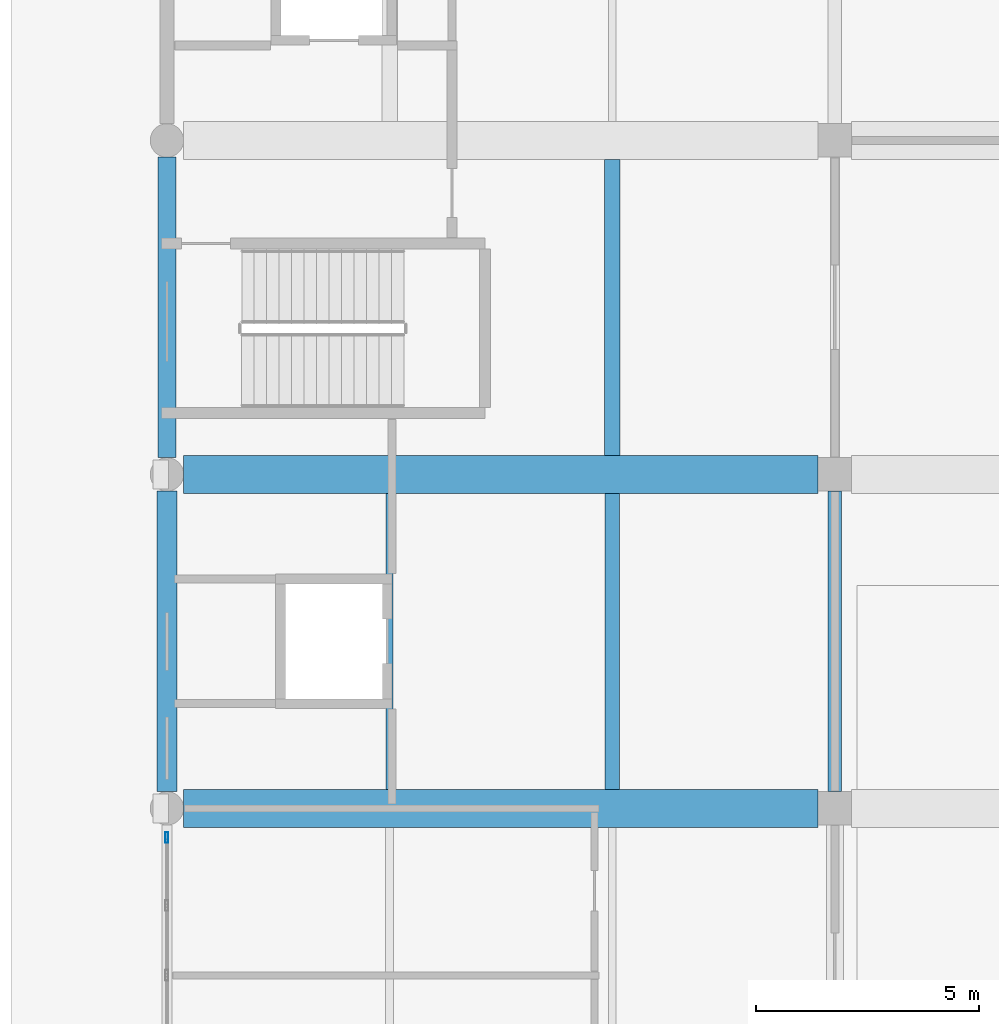
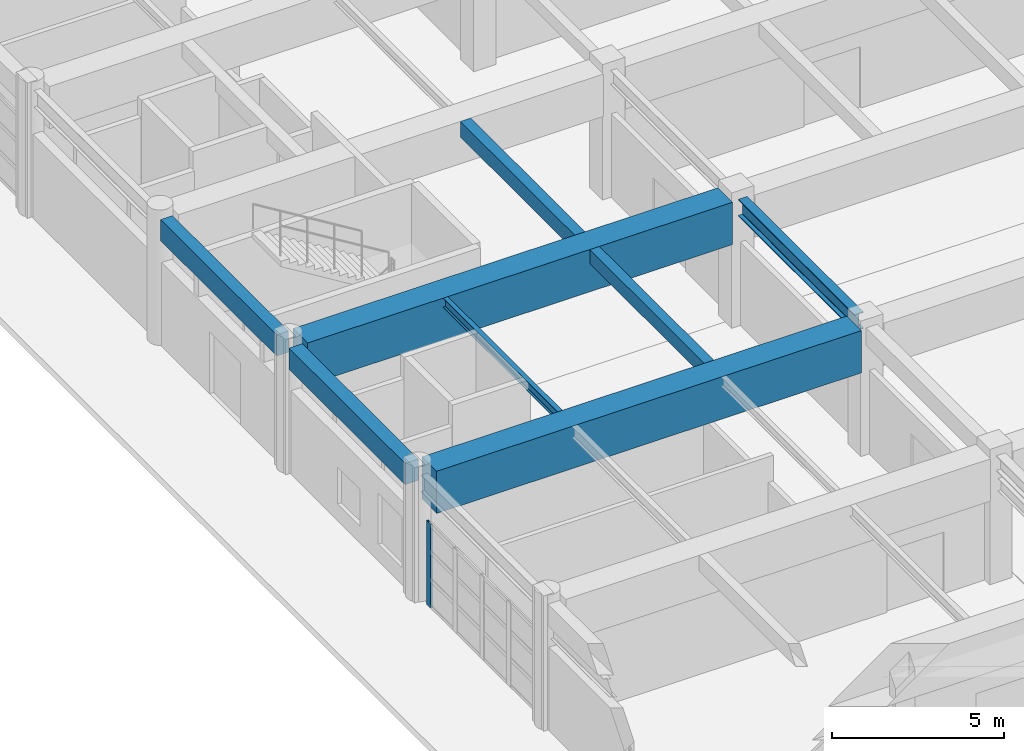
# One storey, part 6 of 122: 8 beams, 1 member, 1 element without a shape of its own.
"""IFC4 building model written with IfcOpenShell, lengths in metres."""

from ifc_helpers import new_model, si_unit, direction, frame, origin, origin_2d, place, context, subcontext, project, spatial, rectangle, hollow_rectangle, i_section, extrude, material, material_profile, profile_set, type_object, element, aggregate, save


model = new_model("IFC4")

# Units and contexts
model_context = context("Model", 3, precision=1e-05, world=origin(), true_north=direction((0.0, 1.0)))
body_context = subcontext(model_context, "Body", "Model", "MODEL_VIEW")
ifc_project = project(units=[si_unit("LENGTHUNIT", "METRE"), si_unit("AREAUNIT", "SQUARE_METRE"), si_unit("VOLUMEUNIT", "CUBIC_METRE"), si_unit("PLANEANGLEUNIT", "RADIAN"), si_unit("MASSUNIT", "GRAM", prefix="KILO")], contexts=[model_context])

# Site, building, storey
site_placement = place(None, origin())
site = spatial("IfcSite", under=ifc_project, at=site_placement, CompositionType="ELEMENT")
building_placement = place(site_placement, origin())
building = spatial("IfcBuilding", under=site, at=building_placement, Name="Qasida Concert Hall", CompositionType="ELEMENT")
storey_placement = place(building_placement, origin())
storey = spatial("IfcBuildingStorey", under=building, at=storey_placement, Name="L00", CompositionType="ELEMENT", Elevation=0.0)

# Beams
ifc_material_1 = material(Name="Steel S355J2", Category="steel")
ifc_material_profile_1 = material_profile(ifc_material_1, i_section(OverallWidth=0.300048828125, OverallDepth=0.60009765625, WebThickness=0.015380859375, FlangeThickness=0.030029296875, FilletRadius=0.027099609375, at=origin_2d()), Name="HEB 600")
ifc_profile_set_1 = profile_set([ifc_material_profile_1], Name="Steel S355J2")
beam_type_1 = type_object("IfcBeamType", Name="BM-B6", PredefinedType="BEAM", material=ifc_profile_set_1)
beam_1_placement = place(storey_placement, frame((15.0, 15.375, 4.199951171875), z_axis=(0.0, 1.0, 0.0), x_axis=(-1.0, 0.0, 0.0)))
element("IfcBeam", 1, at=beam_1_placement, inside=storey, type_object=beam_type_1, Name="L00 girder 0541", PredefinedType="BEAM", context=body_context, shape_type="SweptSolid", body=[
    extrude(i_section(OverallWidth=0.300048828125, OverallDepth=0.60009765625, WebThickness=0.015380859375, FlangeThickness=0.030029296875, FilletRadius=0.027099609375, at=origin_2d()), origin(), (0.0, 0.0, 1.0), 6.75),
])
ifc_material_profile_2 = material_profile(ifc_material_1, i_section(OverallWidth=0.159912109375, OverallDepth=0.330078125, WebThickness=0.007568359375, FlangeThickness=0.011474609375, FilletRadius=0.01806640625, at=origin_2d()), Name="IPE 330")
ifc_profile_set_2 = profile_set([ifc_material_profile_2], Name="Steel S355J2")
beam_type_2 = type_object("IfcBeamType", Name="BM-J5", PredefinedType="JOIST", material=ifc_profile_set_2)
beam_2_placement = place(storey_placement, frame((5.0, 15.425048828125, 4.3349609375), z_axis=(0.0, 1.0, 0.0), x_axis=(-1.0, 0.0, 0.0)))
element("IfcBeam", 2, at=beam_2_placement, inside=storey, type_object=beam_type_2, Name="L00 secondary joist 0564", PredefinedType="JOIST", context=body_context, shape_type="SweptSolid", body=[
    extrude(i_section(OverallWidth=0.159912109375, OverallDepth=0.330078125, WebThickness=0.007568359375, FlangeThickness=0.011474609375, FilletRadius=0.01806640625, at=origin_2d()), origin(), (0.0, 0.0, 1.0), 6.64990234375),
])
ifc_material_2 = material(Name="Concrete C40/50", Category="concrete")
ifc_material_profile_3 = material_profile(ifc_material_2, rectangle(XDim=0.320068359375, YDim=0.5, at=origin_2d()), Name="RC 320x500")
ifc_profile_set_3 = profile_set([ifc_material_profile_3], Name="Concrete C40/50")
beam_type_3 = type_object("IfcBeamType", Name="BM-J7", PredefinedType="JOIST", material=ifc_profile_set_3)
beam_3_placement = place(storey_placement, frame((10.0, 15.425048828125, 4.25), z_axis=(0.0, 1.0, 0.0), x_axis=(-1.0, 0.0, 0.0)))
element("IfcBeam", 3, at=beam_3_placement, inside=storey, type_object=beam_type_3, Name="L00 secondary joist 0565", PredefinedType="JOIST", context=body_context, shape_type="SweptSolid", body=[
    extrude(rectangle(XDim=0.320068359375, YDim=0.5, at=origin_2d()), origin(), (0.0, 0.0, 1.0), 6.64990234375),
])
ifc_material_profile_4 = material_profile(ifc_material_2, rectangle(XDim=0.35009765625, YDim=0.550048828125, at=origin_2d()), Name="RC 350x550")
ifc_profile_set_4 = profile_set([ifc_material_profile_4], Name="Concrete C40/50")
beam_type_4 = type_object("IfcBeamType", Name="BM-J8", PredefinedType="JOIST", material=ifc_profile_set_4)
beam_4_placement = place(storey_placement, frame((10.0, 22.925048828125, 4.22509765625), z_axis=(0.0, 1.0, 0.0), x_axis=(-1.0, 0.0, 0.0)))
element("IfcBeam", 4, at=beam_4_placement, inside=storey, type_object=beam_type_4, Name="L00 secondary joist 0566", PredefinedType="JOIST", context=body_context, shape_type="SweptSolid", body=[
    extrude(rectangle(XDim=0.35009765625, YDim=0.550048828125, at=origin_2d()), origin(), (0.0, 0.0, 1.0), 6.64990234375),
])
ifc_material_profile_5 = material_profile(ifc_material_2, rectangle(XDim=0.39990234375, YDim=0.75, at=origin_2d()), Name="RC 400x750")
ifc_profile_set_5 = profile_set([ifc_material_profile_5], Name="Concrete C40/50")
beam_type_5 = type_object("IfcBeamType", Name="BM-SP1", PredefinedType="SPANDREL", material=ifc_profile_set_5)
beam_5_placement = place(storey_placement, frame((0.0, 22.875, 4.125), z_axis=(0.0, 1.0, 0.0), x_axis=(-1.0, 0.0, 0.0)))
element("IfcBeam", 5, at=beam_5_placement, inside=storey, type_object=beam_type_5, Name="L00 girder 0535", PredefinedType="SPANDREL", context=body_context, shape_type="SweptSolid", body=[
    extrude(rectangle(XDim=0.39990234375, YDim=0.75, at=origin_2d()), origin(), (0.0, 0.0, 1.0), 6.75),
])
ifc_material_profile_6 = material_profile(ifc_material_2, rectangle(XDim=0.449951171875, YDim=0.75, at=origin_2d()), Name="RC 450x750")
ifc_profile_set_6 = profile_set([ifc_material_profile_6], Name="Concrete C40/50")
beam_type_6 = type_object("IfcBeamType", Name="BM-SP4", PredefinedType="SPANDREL", material=ifc_profile_set_6)
beam_6_placement = place(storey_placement, frame((0.0, 15.375, 4.125), z_axis=(0.0, 1.0, 0.0), x_axis=(-1.0, 0.0, 0.0)))
element("IfcBeam", 6, at=beam_6_placement, inside=storey, type_object=beam_type_6, Name="L00 girder 0534", PredefinedType="SPANDREL", context=body_context, shape_type="SweptSolid", body=[
    extrude(rectangle(XDim=0.449951171875, YDim=0.75, at=origin_2d()), origin(), (0.0, 0.0, 1.0), 6.75),
])
ifc_material_3 = material(Name="Concrete C50/60", Category="concrete")
ifc_material_profile_7 = material_profile(ifc_material_3, rectangle(XDim=0.85009765625, YDim=1.5, at=origin_2d()), Name="RC 850x1500")
ifc_profile_set_7 = profile_set([ifc_material_profile_7], Name="Concrete C50/60")
beam_type_7 = type_object("IfcBeamType", Name="BM-TG2", PredefinedType="USERDEFINED", material=ifc_profile_set_7)
for number, where, z_axis, x_axis, name in (
    (7, (0.375, 15.0, 3.75), (1.0, 0.0, 0.0), (0.0, 1.0, 0.0), "Transfer girder TG-0514"),
    (8, (0.375, 22.5, 3.75), (1.0, 0.0, 0.0), (0.0, 1.0, 0.0), "Transfer girder TG-0517"),
):
    element("IfcBeam", number, at=place(storey_placement, frame(where, z_axis=z_axis, x_axis=x_axis)), inside=storey, type_object=beam_type_7, Name=name, ObjectType="GIRDER", PredefinedType="USERDEFINED", context=body_context, shape_type="SweptSolid", body=[
        extrude(rectangle(XDim=0.85009765625, YDim=1.5, at=origin_2d()), origin(), (0.0, 0.0, 1.0), 14.25),
    ])

# Curtain wall, member
ifc_material_4 = material(Name="Architectural bronze-anodized aluminium and low-E glass", Category="aluminium")
curtain_wall_type = type_object("IfcCurtainWallType", Name="CW-06", PredefinedType="NOTDEFINED", material=ifc_material_4)
curtain_wall_placement = place(storey_placement, origin())
curtain_wall = element("IfcCurtainWall", 9, at=curtain_wall_placement, inside=storey, type_object=curtain_wall_type, Name="L00 curtain wall CW-06 0074", PredefinedType="NOTDEFINED")
ifc_material_5 = material(Name="Architectural bronze-anodized aluminium EN AW-6063", Category="aluminium")
ifc_material_profile_8 = material_profile(ifc_material_5, hollow_rectangle(XDim=0.070068359375, YDim=0.239990234375, WallThickness=0.0048828125, InnerFilletRadius=0.0048828125, OuterFilletRadius=0.010009765625, at=origin_2d()), Name="CWM 240x70x5")
ifc_profile_set_8 = profile_set([ifc_material_profile_8], Name="Architectural bronze-anodized aluminium EN AW-6063")
member_type = type_object("IfcMemberType", Name="MB-CWM-1", PredefinedType="MULLION", material=ifc_profile_set_8)
member_placement = place(storey_placement, frame((0.0, 14.344970703125, 0.0), z_axis=(0.0, 0.0, 1.0), x_axis=(-1.0, 0.0, 0.0)))
member = element("IfcMember", 10, at=member_placement, type_object=member_type, Name="CW-06 mullion 5", PredefinedType="MULLION", context=body_context, shape_type="SweptSolid", body=[
    extrude(hollow_rectangle(XDim=0.070068359375, YDim=0.239990234375, WallThickness=0.0048828125, InnerFilletRadius=0.0048828125, OuterFilletRadius=0.010009765625, at=origin_2d()), origin(), (0.0, 0.0, 1.0), 2.969970703125),
])
aggregate(curtain_wall, [member])

save(model, "model.ifc")
